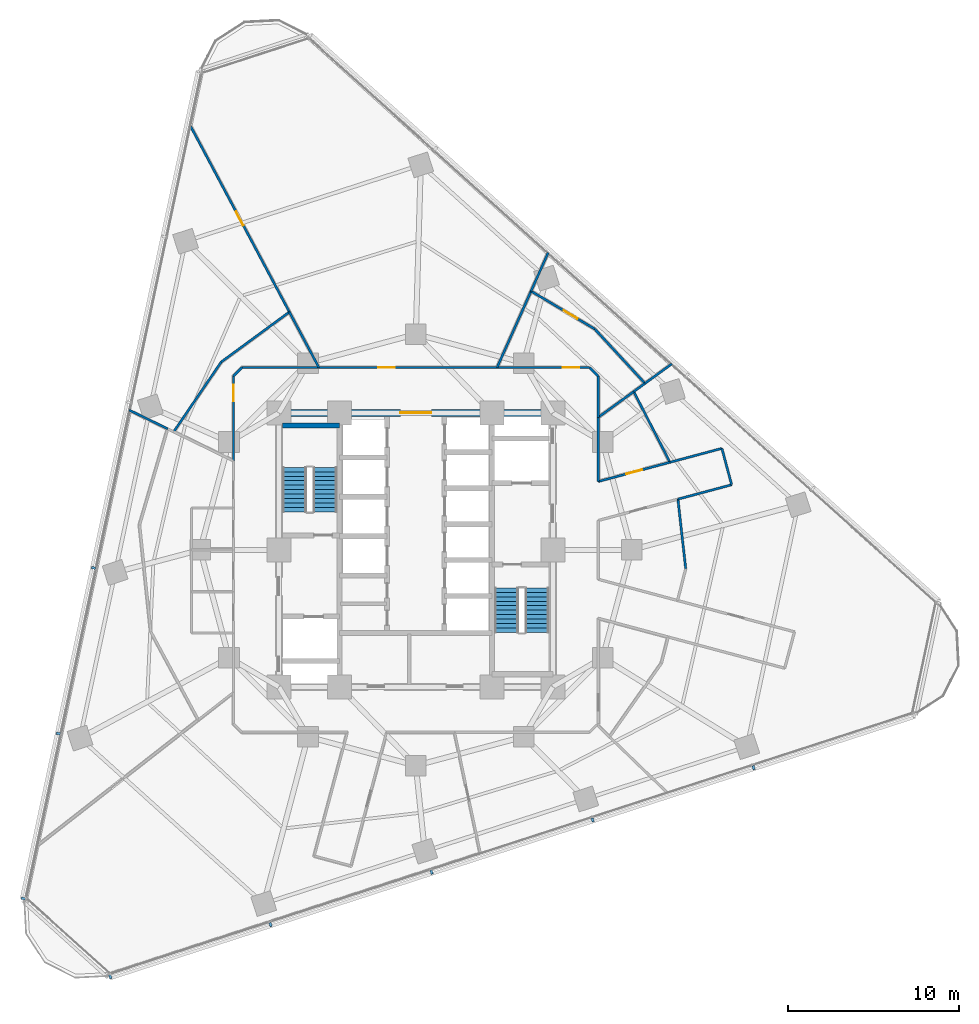
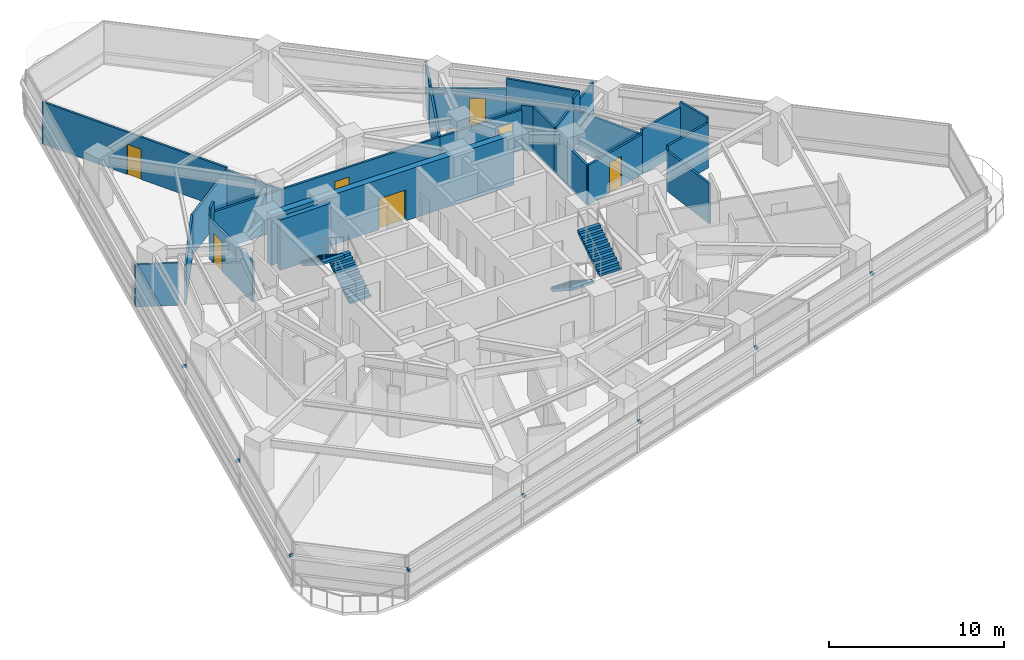
# One storey, part 9 of 13: 28 walls, 8 discrete accessories, 7 doors, 4 stair flights, 7 openings, 2 elements without a shape of their own.
"""IFC4 building model written with IfcOpenShell, lengths in metres."""

from ifc_helpers import new_model, si_unit, direction, frame, frame_2d, origin, origin_2d, place, context, subcontext, project, spatial, polyline, rectangle, outline, extrude, material, layer, layer_set, type_object, element, fill, aggregate, save


model = new_model("IFC4")

# Units and contexts
model_context = context("Model", 3, precision=1e-05, world=origin(), true_north=direction((0.0, 1.0)))
body_context = subcontext(model_context, "Body", "Model", "MODEL_VIEW")
ifc_project = project(units=[si_unit("LENGTHUNIT", "METRE"), si_unit("AREAUNIT", "SQUARE_METRE"), si_unit("VOLUMEUNIT", "CUBIC_METRE"), si_unit("PLANEANGLEUNIT", "RADIAN"), si_unit("MASSUNIT", "GRAM", prefix="KILO")], contexts=[model_context])

# Site, building, storey
site_placement = place(None, origin())
site = spatial("IfcSite", under=ifc_project, at=site_placement, CompositionType="ELEMENT")
building_placement = place(site_placement, origin())
building = spatial("IfcBuilding", under=site, at=building_placement, Name="Terralouvre Media Tower", CompositionType="ELEMENT")
storey_placement = place(building_placement, frame((0.0, 0.0, 101.39990234375)))
storey = spatial("IfcBuildingStorey", under=building, at=storey_placement, Name="L25", CompositionType="ELEMENT", Elevation=101.39990234375)

# Wall
ifc_material_1 = material(Name="Concrete C50/60", Category="concrete")
ifc_layer_1 = layer(ifc_material_1, 0.300048828125, Name="Core Internal Shaft Wall CW-300")
ifc_layer_set_1 = layer_set([ifc_layer_1], Name="Concrete C50/60")
wall_type_1 = type_object("IfcWallType", Name="Core Internal Shaft Wall CW-300", PredefinedType="SHEAR", material=ifc_layer_set_1)
wall_1_placement = place(storey_placement, frame((-7.7900390625, 7.260009765625, 0.0), z_axis=(0.0, 0.0, 1.0), x_axis=(1.0, 0.0, 0.0)))
element("IfcWall", 1, at=wall_1_placement, inside=storey, type_object=wall_type_1, Name="L25 Core Shaft Wall ST1F", PredefinedType="SHEAR", context=body_context, shape_type="SweptSolid", body=[
    extrude(rectangle(XDim=3.340087890625, YDim=0.300048828125, at=frame_2d((1.669921875, 0.0))), origin(), (0.0, 0.0, 1.0), 3.5),
])

# Wall, opening, door
ifc_material_2 = material(Name="Concrete C60/75", Category="concrete")
ifc_layer_2 = layer(ifc_material_2, 0.419921875, Name="Core Reinforced Concrete Shear Wall CW-420")
ifc_layer_set_2 = layer_set([ifc_layer_2], Name="Concrete C60/75")
wall_type_2 = type_object("IfcWallType", Name="Core Reinforced Concrete Shear Wall CW-420", PredefinedType="SHEAR", material=ifc_layer_set_2)
wall_2_placement = place(storey_placement, frame((-8.0, 8.0, 0.0), z_axis=(0.0, 0.0, 1.0), x_axis=(1.0, 0.0, 0.0)))
wall_2 = element("IfcWall", 2, at=wall_2_placement, inside=storey, type_object=wall_type_2, Name="L25 N Core Shear Wall", PredefinedType="SHEAR", context=body_context, shape_type="SweptSolid", body=[
    extrude(rectangle(XDim=16.0, YDim=0.419921875, at=frame_2d((8.0, 0.0))), origin(), (0.0, 0.0, 1.0), 3.5),
])
opening_1_placement = place(wall_2_placement, frame((7.10009765625, 0.0, 0.0)))
opening_1 = element("IfcOpeningElement", 3, at=opening_1_placement, cuts=wall_2, Name="Opening FD-03", PredefinedType="OPENING", context=body_context, shape_type="SweptSolid", body=[
    extrude(rectangle(XDim=1.800048828125, YDim=2.14990234375, at=frame_2d((0.89990234375, 1.074951171875))), frame((0.0, 0.219970703125, 0.0), z_axis=(0.0, -1.0, 0.0), x_axis=(1.0, 0.0, 0.0)), (0.0, 0.0, 1.0), 0.43994140625),
])
ifc_material_3 = material(Name="Galvanised steel fire-resisting leaf", Category="steel")
door_type_1 = type_object("IfcDoorType", Name="Corridor Smoke-Control Double Door FD-03", OperationType="DOUBLE_DOOR_SINGLE_SWING", PredefinedType="DOOR", material=ifc_material_3)
door_1_placement = place(opening_1_placement, origin())
door_1 = element("IfcDoor", 4, at=door_1_placement, inside=storey, type_object=door_type_1, Name="L25 Central Lift Lobby Portal Door", OperationType="DOUBLE_DOOR_SINGLE_SWING", OverallHeight=2.14990234375, OverallWidth=1.800048828125, PredefinedType="DOOR", context=body_context, shape_type="SweptSolid", body=[
    extrude(rectangle(XDim=1.800048828125, YDim=2.14990234375, at=frame_2d((0.89990234375, 1.074951171875))), frame((0.0, 0.02490234375, 0.0), z_axis=(0.0, -1.0, 0.0), x_axis=(1.0, 0.0, 0.0)), (0.0, 0.0, 1.0), 0.050048828125),
])
fill(opening_1, door_1)

# Walls
ifc_material_4 = material(Name="Fire-rated gypsum board drywall partition")
ifc_layer_3 = layer(ifc_material_4, 0.135009765625, Name="Newsroom Acoustic Partition PT-135")
ifc_layer_set_3 = layer_set([ifc_layer_3], Name="Fire-rated gypsum board drywall partition")
wall_type_3 = type_object("IfcWallType", Name="Newsroom Acoustic Partition PT-135", PredefinedType="PARTITIONING", material=ifc_layer_set_3)
wall_3_placement = place(storey_placement, frame((15.306884765625, 2.962890625, 0.0), z_axis=(0.0, 0.0, 1.0), x_axis=(0.965966165677, 0.258668449501, 0.0)))
element("IfcWall", 5, at=wall_3_placement, inside=storey, type_object=wall_type_3, Name="L25 Interior Partition 011", PredefinedType="PARTITIONING", context=body_context, shape_type="SweptSolid", body=[
    extrude(rectangle(XDim=3.247802734375, YDim=0.135009765625, at=frame_2d((1.6240234375, 0.0))), origin(), (0.0, 0.0, 1.0), 3.125),
])
wall_4_placement = place(storey_placement, frame((18.444091796875, 3.802978515625, 0.0), z_axis=(0.0, 0.0, 1.0), x_axis=(-0.258691706618, 0.965959937537, 0.0)))
element("IfcWall", 6, at=wall_4_placement, inside=storey, type_object=wall_type_3, Name="L25 Interior Partition 012", PredefinedType="PARTITIONING", context=body_context, shape_type="SweptSolid", body=[
    extrude(rectangle(XDim=2.199951171875, YDim=0.135009765625, at=frame_2d((1.10009765625, 0.0))), origin(), (0.0, 0.0, 1.0), 3.5),
])
wall_5_placement = place(storey_placement, frame((17.875, 5.927978515625, 0.0), z_axis=(0.0, 0.0, 1.0), x_axis=(-0.96597893007, -0.258620777704, 0.0)))
element("IfcWall", 7, at=wall_5_placement, inside=storey, type_object=wall_type_3, Name="L25 Interior Partition 013", PredefinedType="PARTITIONING", context=body_context, shape_type="SweptSolid", body=[
    extrude(rectangle(XDim=3.139892578125, YDim=0.135009765625, at=frame_2d((1.56982421875, 0.0))), origin(), (0.0, 0.0, 1.0), 3.125),
])

# Wall, opening, door
wall_6_placement = place(storey_placement, frame((14.842041015625, 5.115966796875, 0.0), z_axis=(0.0, 0.0, 1.0), x_axis=(-0.965883000332, -0.258978820891, 0.0)))
wall_6 = element("IfcWall", 8, at=wall_6_placement, inside=storey, type_object=wall_type_3, Name="L25 Interior Partition 019", PredefinedType="PARTITIONING", context=body_context, shape_type="SweptSolid", body=[
    extrude(rectangle(XDim=4.34033203125, YDim=0.135009765625, at=frame_2d((2.170166015625, 0.0))), origin(), (0.0, 0.0, 1.0), 2.78515625),
])
opening_2_placement = place(wall_6_placement, frame((1.695068359375, 0.0, 0.0)))
opening_2 = element("IfcOpeningElement", 9, at=opening_2_placement, cuts=wall_6, Name="Opening ID-02-95X210", PredefinedType="OPENING", context=body_context, shape_type="SweptSolid", body=[
    extrude(rectangle(XDim=0.949951171875, YDim=2.10009765625, at=frame_2d((0.47509765625, 1.050048828125))), frame((0.0, 0.077392578125, 0.0), z_axis=(0.0, -1.0, 0.0), x_axis=(1.0, 0.0, 0.0)), (0.0, 0.0, 1.0), 0.155029296875),
])
ifc_material_5 = material(Name="Engineered hardwood acoustic timber leaf", Category="wood")
door_type_2 = type_object("IfcDoorType", Name="Office and Meeting Room Door ID-02 (950x2100)", OperationType="NOTDEFINED", PredefinedType="DOOR", material=ifc_material_5)
door_2_placement = place(opening_2_placement, origin())
door_2 = element("IfcDoor", 10, at=door_2_placement, inside=storey, type_object=door_type_2, Name="L25 Wellness Club Reception 5 Door", OperationType="SINGLE_SWING_RIGHT", OverallHeight=2.10009765625, OverallWidth=0.949951171875, PredefinedType="DOOR", context=body_context, shape_type="SweptSolid", body=[
    extrude(rectangle(XDim=0.949951171875, YDim=2.10009765625, at=frame_2d((0.47509765625, 1.050048828125))), frame((0.0, 0.02490234375, 0.0), z_axis=(0.0, -1.0, 0.0), x_axis=(1.0, 0.0, 0.0)), (0.0, 0.0, 1.0), 0.050048828125),
])
fill(opening_2, door_2)

# Walls
wall_7_placement = place(storey_placement, frame((10.64990234375, 3.991943359375, 0.0), z_axis=(0.0, 0.0, 1.0), x_axis=(0.0, 1.0, 0.0)))
element("IfcWall", 11, at=wall_7_placement, inside=storey, type_object=wall_type_3, Name="L25 Interior Partition 020", PredefinedType="PARTITIONING", context=body_context, shape_type="SweptSolid", body=[
    extrude(rectangle(XDim=3.74609375, YDim=0.135009765625, at=frame_2d((1.873046875, 0.0))), origin(), (0.0, 0.0, 1.0), 2.78515625),
])
wall_8_placement = place(storey_placement, frame((10.64990234375, 7.738037109375, 0.0), z_axis=(0.0, 0.0, 1.0), x_axis=(0.0, 1.0, 0.0)))
element("IfcWall", 12, at=wall_8_placement, inside=storey, type_object=wall_type_3, Name="L25 Interior Partition 027", PredefinedType="PARTITIONING", context=body_context, shape_type="SweptSolid", body=[
    extrude(rectangle(XDim=2.411865234375, YDim=0.135009765625, at=frame_2d((1.2060546875, 0.0))), origin(), (0.0, 0.0, 1.0), 3.125),
])
wall_9_placement = place(storey_placement, frame((10.64990234375, 10.14990234375, 0.0), z_axis=(0.0, 0.0, 1.0), x_axis=(-0.707106781187, 0.707106781187, 0.0)))
element("IfcWall", 13, at=wall_9_placement, inside=storey, type_object=wall_type_3, Name="L25 Interior Partition 028", PredefinedType="PARTITIONING", context=body_context, shape_type="SweptSolid", body=[
    extrude(rectangle(XDim=0.70703125, YDim=0.135009765625, at=frame_2d((0.353515625, 0.0))), origin(), (0.0, 0.0, 1.0), 3.125),
])

# Wall, opening, door
wall_10_placement = place(storey_placement, frame((10.14990234375, 10.64990234375, 0.0), z_axis=(0.0, 0.0, 1.0), x_axis=(-1.0, 0.0, 0.0)))
wall_10 = element("IfcWall", 14, at=wall_10_placement, inside=storey, type_object=wall_type_3, Name="L25 Interior Partition 029", PredefinedType="PARTITIONING", context=body_context, shape_type="SweptSolid", body=[
    extrude(rectangle(XDim=5.407958984375, YDim=0.135009765625, at=frame_2d((2.7041015625, 0.0))), origin(), (0.0, 0.0, 1.0), 2.78515625),
])
opening_3_placement = place(wall_10_placement, frame((0.606689453125, 0.0, 0.0)))
opening_3 = element("IfcOpeningElement", 15, at=opening_3_placement, cuts=wall_10, Name="Opening ID-02-95X210", PredefinedType="OPENING", context=body_context, shape_type="SweptSolid", body=[
    extrude(rectangle(XDim=0.949951171875, YDim=2.10009765625, at=frame_2d((0.47509765625, 1.050048828125))), frame((0.0, 0.077392578125, 0.0), z_axis=(0.0, -1.0, 0.0), x_axis=(1.0, 0.0, 0.0)), (0.0, 0.0, 1.0), 0.155029296875),
])
door_3_placement = place(opening_3_placement, origin())
door_3 = element("IfcDoor", 16, at=door_3_placement, inside=storey, type_object=door_type_2, Name="L25 Staff Wellness Fitness Gym 10 Door", OperationType="SINGLE_SWING_RIGHT", OverallHeight=2.10009765625, OverallWidth=0.949951171875, PredefinedType="DOOR", context=body_context, shape_type="SweptSolid", body=[
    extrude(rectangle(XDim=0.949951171875, YDim=2.10009765625, at=frame_2d((0.47509765625, 1.050048828125))), frame((0.0, 0.02490234375, 0.0), z_axis=(0.0, -1.0, 0.0), x_axis=(1.0, 0.0, 0.0)), (0.0, 0.0, 1.0), 0.050048828125),
])
fill(opening_3, door_3)

wall_11_placement = place(storey_placement, frame((4.741943359375, 10.64990234375, 0.0), z_axis=(0.0, 0.0, 1.0), x_axis=(-1.0, 0.0, 0.0)))
wall_11 = element("IfcWall", 17, at=wall_11_placement, inside=storey, type_object=wall_type_3, Name="L25 Interior Partition 030", PredefinedType="PARTITIONING", context=body_context, shape_type="SweptSolid", body=[
    extrude(rectangle(XDim=10.405029296875, YDim=0.135009765625, at=frame_2d((5.20263671875, 0.0))), origin(), (0.0, 0.0, 1.0), 2.78515625),
])
opening_4_placement = place(wall_11_placement, frame((5.97607421875, 0.0, 0.0)))
opening_4 = element("IfcOpeningElement", 18, at=opening_4_placement, cuts=wall_11, Name="Opening ID-02-95X210", PredefinedType="OPENING", context=body_context, shape_type="SweptSolid", body=[
    extrude(rectangle(XDim=0.949951171875, YDim=2.10009765625, at=frame_2d((0.47509765625, 1.050048828125))), frame((0.0, 0.077392578125, 0.0), z_axis=(0.0, -1.0, 0.0), x_axis=(1.0, 0.0, 0.0)), (0.0, 0.0, 1.0), 0.155029296875),
])
door_4_placement = place(opening_4_placement, origin())
door_4 = element("IfcDoor", 19, at=door_4_placement, inside=storey, type_object=door_type_2, Name="L25 Mindfulness Recreation Club 11 Door", OperationType="SINGLE_SWING_LEFT", OverallHeight=2.10009765625, OverallWidth=0.949951171875, PredefinedType="DOOR", context=body_context, shape_type="SweptSolid", body=[
    extrude(rectangle(XDim=0.949951171875, YDim=2.10009765625, at=frame_2d((0.47509765625, 1.050048828125))), frame((0.0, 0.02490234375, 0.0), z_axis=(0.0, -1.0, 0.0), x_axis=(1.0, 0.0, 0.0)), (0.0, 0.0, 1.0), 0.050048828125),
])
fill(opening_4, door_4)

# Walls
wall_12_placement = place(storey_placement, frame((-5.6630859375, 10.64990234375, 0.0), z_axis=(0.0, 0.0, 1.0), x_axis=(-1.0, 0.0, 0.0)))
element("IfcWall", 20, at=wall_12_placement, inside=storey, type_object=wall_type_3, Name="L25 Interior Partition 031", PredefinedType="PARTITIONING", context=body_context, shape_type="SweptSolid", body=[
    extrude(rectangle(XDim=4.48681640625, YDim=0.135009765625, at=frame_2d((2.243408203125, 0.0))), origin(), (0.0, 0.0, 1.0), 2.78515625),
])
wall_13_placement = place(storey_placement, frame((-10.14990234375, 10.64990234375, 0.0), z_axis=(0.0, 0.0, 1.0), x_axis=(-0.707106781187, -0.707106781187, 0.0)))
element("IfcWall", 21, at=wall_13_placement, inside=storey, type_object=wall_type_3, Name="L25 Interior Partition 032", PredefinedType="PARTITIONING", context=body_context, shape_type="SweptSolid", body=[
    extrude(rectangle(XDim=0.70703125, YDim=0.135009765625, at=frame_2d((0.353515625, 0.0))), origin(), (0.0, 0.0, 1.0), 3.5),
])

# Wall, opening, door
wall_14_placement = place(storey_placement, frame((-10.64990234375, 10.14990234375, 0.0), z_axis=(0.0, 0.0, 1.0), x_axis=(0.0, -1.0, 0.0)))
wall_14 = element("IfcWall", 22, at=wall_14_placement, inside=storey, type_object=wall_type_3, Name="L25 Interior Partition 033", PredefinedType="PARTITIONING", context=body_context, shape_type="SweptSolid", body=[
    extrude(rectangle(XDim=4.955810546875, YDim=0.135009765625, at=frame_2d((2.47802734375, 0.0))), origin(), (0.0, 0.0, 1.0), 2.78515625),
])
opening_5_placement = place(wall_14_placement, frame((0.51611328125, 0.0, 0.0)))
opening_5 = element("IfcOpeningElement", 23, at=opening_5_placement, cuts=wall_14, Name="Opening ID-02-95X210", PredefinedType="OPENING", context=body_context, shape_type="SweptSolid", body=[
    extrude(rectangle(XDim=0.949951171875, YDim=2.10009765625, at=frame_2d((0.47509765625, 1.050048828125))), frame((0.0, 0.077392578125, 0.0), z_axis=(0.0, -1.0, 0.0), x_axis=(1.0, 0.0, 0.0)), (0.0, 0.0, 1.0), 0.155029296875),
])
door_5_placement = place(opening_5_placement, origin())
door_5 = element("IfcDoor", 24, at=door_5_placement, inside=storey, type_object=door_type_2, Name="L25 Terrace View Hospitality Lounge 13 Door", OperationType="SINGLE_SWING_RIGHT", OverallHeight=2.10009765625, OverallWidth=0.949951171875, PredefinedType="DOOR", context=body_context, shape_type="SweptSolid", body=[
    extrude(rectangle(XDim=0.949951171875, YDim=2.10009765625, at=frame_2d((0.47509765625, 1.050048828125))), frame((0.0, 0.02490234375, 0.0), z_axis=(0.0, -1.0, 0.0), x_axis=(1.0, 0.0, 0.0)), (0.0, 0.0, 1.0), 0.050048828125),
])
fill(opening_5, door_5)

# Walls
wall_15_placement = place(storey_placement, frame((15.306884765625, 2.962890625, 0.0), z_axis=(0.0, 0.0, 1.0), x_axis=(0.111256918124, -0.99379167745, 0.0)))
element("IfcWall", 25, at=wall_15_placement, inside=storey, type_object=wall_type_3, Name="L25 Interior Partition 040", PredefinedType="PARTITIONING", context=body_context, shape_type="SweptSolid", body=[
    extrude(rectangle(XDim=4.09033203125, YDim=0.135009765625, at=frame_2d((2.045166015625, 0.0))), origin(), (0.0, 0.0, 1.0), 2.78515625),
])
wall_16_placement = place(storey_placement, frame((12.72607421875, 9.24609375, 0.0), z_axis=(0.0, 0.0, 1.0), x_axis=(0.455967351564, -0.889996502413, 0.0)))
element("IfcWall", 26, at=wall_16_placement, inside=storey, type_object=wall_type_3, Name="L25 Interior Partition 042", PredefinedType="PARTITIONING", context=body_context, shape_type="SweptSolid", body=[
    extrude(rectangle(XDim=4.640625, YDim=0.135009765625, at=frame_2d((2.3203125, 0.0))), origin(), (0.0, 0.0, 1.0), 2.78515625),
])
wall_17_placement = place(storey_placement, frame((14.947021484375, 10.860107421875, 0.0), z_axis=(0.0, 0.0, 1.0), x_axis=(-0.809090948161, -0.58768345017, 0.0)))
element("IfcWall", 27, at=wall_17_placement, inside=storey, type_object=wall_type_3, Name="L25 Interior Partition 044", PredefinedType="PARTITIONING", context=body_context, shape_type="SweptSolid", body=[
    extrude(rectangle(XDim=1.93310546875, YDim=0.135009765625, at=frame_2d((0.966552734375, 0.0))), origin(), (0.0, 0.0, 1.0), 2.93505859375),
])
wall_18_placement = place(storey_placement, frame((13.383056640625, 9.72412109375, 0.0), z_axis=(0.0, 0.0, 1.0), x_axis=(-0.808606124949, -0.588350350297, 0.0)))
element("IfcWall", 28, at=wall_18_placement, inside=storey, type_object=wall_type_3, Name="L25 Interior Partition 045", PredefinedType="PARTITIONING", context=body_context, shape_type="SweptSolid", body=[
    extrude(rectangle(XDim=0.8125, YDim=0.135009765625, at=frame_2d((0.40625, 0.0))), origin(), (0.0, 0.0, 1.0), 3.5),
])
wall_19_placement = place(storey_placement, frame((12.72607421875, 9.24609375, 0.0), z_axis=(0.0, 0.0, 1.0), x_axis=(-0.80908565166, -0.587690742039, 0.0)))
element("IfcWall", 29, at=wall_19_placement, inside=storey, type_object=wall_type_3, Name="L25 Interior Partition 047", PredefinedType="PARTITIONING", context=body_context, shape_type="SweptSolid", body=[
    extrude(rectangle(XDim=2.566162109375, YDim=0.135009765625, at=frame_2d((1.283203125, 0.0))), origin(), (0.0, 0.0, 1.0), 3.125),
])
wall_20_placement = place(storey_placement, frame((-14.490966796875, 7.068115234375, 0.0), z_axis=(0.0, 0.0, 1.0), x_axis=(-0.898774071038, 0.438412099777, 0.0)))
element("IfcWall", 30, at=wall_20_placement, inside=storey, type_object=wall_type_3, Name="L25 Interior Partition 060", PredefinedType="PARTITIONING", context=body_context, shape_type="SweptSolid", body=[
    extrude(rectangle(XDim=2.502685546875, YDim=0.135009765625, at=frame_2d((1.25146484375, 0.0))), origin(), (0.0, 0.0, 1.0), 2.93505859375),
])

# Wall, opening, door
wall_21_placement = place(storey_placement, frame((6.72900390625, 15.113037109375, 0.0), z_axis=(0.0, 0.0, 1.0), x_axis=(0.859389125663, -0.511322139841, 0.0)))
wall_21 = element("IfcWall", 31, at=wall_21_placement, inside=storey, type_object=wall_type_3, Name="L25 Interior Partition 061", PredefinedType="PARTITIONING", context=body_context, shape_type="SweptSolid", body=[
    extrude(rectangle(XDim=4.326416015625, YDim=0.135009765625, at=frame_2d((2.1630859375, 0.0))), origin(), (0.0, 0.0, 1.0), 2.78515625),
])
opening_6_placement = place(wall_21_placement, frame((2.222412109375, 0.0, 0.0)))
opening_6 = element("IfcOpeningElement", 32, at=opening_6_placement, cuts=wall_21, Name="Opening ID-03-92X210", PredefinedType="OPENING", context=body_context, shape_type="SweptSolid", body=[
    extrude(rectangle(XDim=0.919921875, YDim=2.10009765625, at=frame_2d((0.4599609375, 1.050048828125))), frame((0.0, 0.077392578125, 0.0), z_axis=(0.0, -1.0, 0.0), x_axis=(1.0, 0.0, 0.0)), (0.0, 0.0, 1.0), 0.155029296875),
])
ifc_material_6 = material(Name="Engineered hardwood acoustic timber leaf", Category="wood")
door_type_3 = type_object("IfcDoorType", Name="Accessible Restroom and Suite Door ID-03 (920x2100)", OperationType="NOTDEFINED", PredefinedType="DOOR", material=ifc_material_6)
door_6_placement = place(opening_6_placement, origin())
door_6 = element("IfcDoor", 33, at=door_6_placement, inside=storey, type_object=door_type_3, Name="L25 Medical Journalism Research Office 9 Door", OperationType="SINGLE_SWING_RIGHT", OverallHeight=2.10009765625, OverallWidth=0.919921875, PredefinedType="DOOR", context=body_context, shape_type="SweptSolid", body=[
    extrude(rectangle(XDim=0.919921875, YDim=2.10009765625, at=frame_2d((0.4599609375, 1.050048828125))), frame((0.0, 0.02490234375, 0.0), z_axis=(0.0, -1.0, 0.0), x_axis=(1.0, 0.0, 0.0)), (0.0, 0.0, 1.0), 0.050048828125),
])
fill(opening_6, door_6)

# Walls
wall_22_placement = place(storey_placement, frame((10.447021484375, 12.90087890625, 0.0), z_axis=(0.0, 0.0, 1.0), x_axis=(0.678734730072, -0.734383527997, 0.0)))
element("IfcWall", 34, at=wall_22_placement, inside=storey, type_object=wall_type_3, Name="L25 Interior Partition 062", PredefinedType="PARTITIONING", context=body_context, shape_type="SweptSolid", body=[
    extrude(rectangle(XDim=4.32568359375, YDim=0.135009765625, at=frame_2d((2.162841796875, 0.0))), origin(), (0.0, 0.0, 1.0), 3.5),
])
wall_23_placement = place(storey_placement, frame((7.72900390625, 17.359130859375, 0.0), z_axis=(0.0, 0.0, 1.0), x_axis=(-0.406728032322, -0.913549291349, 0.0)))
element("IfcWall", 35, at=wall_23_placement, inside=storey, type_object=wall_type_3, Name="L25 Interior Partition 063", PredefinedType="PARTITIONING", context=body_context, shape_type="SweptSolid", body=[
    extrude(rectangle(XDim=2.458740234375, YDim=0.135009765625, at=frame_2d((1.2294921875, 0.0))), origin(), (0.0, 0.0, 1.0), 2.93505859375),
])
wall_24_placement = place(storey_placement, frame((6.72900390625, 15.113037109375, 0.0), z_axis=(0.0, 0.0, 1.0), x_axis=(-0.406727234472, -0.913549646565, 0.0)))
element("IfcWall", 36, at=wall_24_placement, inside=storey, type_object=wall_type_3, Name="L25 Interior Partition 064", PredefinedType="PARTITIONING", context=body_context, shape_type="SweptSolid", body=[
    extrude(rectangle(XDim=4.885498046875, YDim=0.135009765625, at=frame_2d((2.44287109375, 0.0))), origin(), (0.0, 0.0, 1.0), 2.78515625),
])

# Wall, opening, door
wall_25_placement = place(storey_placement, frame((-13.19921875, 24.82421875, 0.0), z_axis=(0.0, 0.0, 1.0), x_axis=(0.46947528178, -0.882945615425, 0.0)))
wall_25 = element("IfcWall", 37, at=wall_25_placement, inside=storey, type_object=wall_type_3, Name="L25 Interior Partition 065", PredefinedType="PARTITIONING", context=body_context, shape_type="SweptSolid", body=[
    extrude(rectangle(XDim=12.38037109375, YDim=0.135009765625, at=frame_2d((6.190185546875, 0.0))), origin(), (0.0, 0.0, 1.0), 2.93505859375),
])
opening_7_placement = place(wall_25_placement, frame((5.72998046875, 0.0, 0.0)))
opening_7 = element("IfcOpeningElement", 38, at=opening_7_placement, cuts=wall_25, Name="Opening ID-03-92X210", PredefinedType="OPENING", context=body_context, shape_type="SweptSolid", body=[
    extrude(rectangle(XDim=0.919921875, YDim=2.10009765625, at=frame_2d((0.4599609375, 1.050048828125))), frame((0.0, 0.077392578125, 0.0), z_axis=(0.0, -1.0, 0.0), x_axis=(1.0, 0.0, 0.0)), (0.0, 0.0, 1.0), 0.155029296875),
])
door_7_placement = place(opening_7_placement, origin())
door_7 = element("IfcDoor", 39, at=door_7_placement, inside=storey, type_object=door_type_3, Name="L25 Broadcast Club Dining Room 12 Door", OperationType="SINGLE_SWING_LEFT", OverallHeight=2.10009765625, OverallWidth=0.919921875, PredefinedType="DOOR", context=body_context, shape_type="SweptSolid", body=[
    extrude(rectangle(XDim=0.919921875, YDim=2.10009765625, at=frame_2d((0.4599609375, 1.050048828125))), frame((0.0, 0.02490234375, 0.0), z_axis=(0.0, -1.0, 0.0), x_axis=(1.0, 0.0, 0.0)), (0.0, 0.0, 1.0), 0.050048828125),
])
fill(opening_7, door_7)

# Walls
wall_26_placement = place(storey_placement, frame((-7.386962890625, 13.89306640625, 0.0), z_axis=(0.0, 0.0, 1.0), x_axis=(0.469356096826, -0.883008977515, 0.0)))
element("IfcWall", 40, at=wall_26_placement, inside=storey, type_object=wall_type_3, Name="L25 Interior Partition 066", PredefinedType="PARTITIONING", context=body_context, shape_type="SweptSolid", body=[
    extrude(rectangle(XDim=3.6728515625, YDim=0.135009765625, at=frame_2d((1.83642578125, 0.0))), origin(), (0.0, 0.0, 1.0), 2.78515625),
])
wall_27_placement = place(storey_placement, frame((-14.14208984375, 6.89794921875, 0.0), z_axis=(0.0, 0.0, 1.0), x_axis=(0.562725506953, 0.826643819202, 0.0)))
element("IfcWall", 41, at=wall_27_placement, inside=storey, type_object=wall_type_3, Name="L25 Interior Partition 067", PredefinedType="PARTITIONING", context=body_context, shape_type="SweptSolid", body=[
    extrude(rectangle(XDim=4.933349609375, YDim=0.135009765625, at=frame_2d((2.466796875, 0.0))), origin(), (0.0, 0.0, 1.0), 2.78515625),
])
wall_28_placement = place(storey_placement, frame((-11.365966796875, 10.97607421875, 0.0), z_axis=(0.0, 0.0, 1.0), x_axis=(0.806496231999, 0.591239230576, 0.0)))
element("IfcWall", 42, at=wall_28_placement, inside=storey, type_object=wall_type_3, Name="L25 Interior Partition 068", PredefinedType="PARTITIONING", context=body_context, shape_type="SweptSolid", body=[
    extrude(rectangle(XDim=4.93359375, YDim=0.135009765625, at=frame_2d((2.466796875, 0.0))), origin(), (0.0, 0.0, 1.0), 2.78515625),
])

# Stair, stair flights
ifc_material_7 = material(Name="Concrete C45/55", Category="concrete")
stair_type_1 = type_object("IfcStairType", Name="Dogleg Stair Assembly ST-01", PredefinedType="HALF_TURN_STAIR", material=ifc_material_7)
stair_1_placement = place(storey_placement, origin())
stair_1 = element("IfcStair", 43, at=stair_1_placement, inside=storey, type_object=stair_type_1, Name="L25 Core Pressurised Exit Stair ST-01", PredefinedType="HALF_TURN_STAIR")
ifc_material_8 = material(Name="Concrete C45/55", Category="concrete")
stair_flight_type = type_object("IfcStairFlightType", Name="Reinforced Concrete Stair Flight SF-RC1", PredefinedType="STRAIGHT", material=ifc_material_8)
stair_flight_1_placement = place(storey_placement, frame((-5.300048828125, 2.219970703125, 0.0), z_axis=(0.0, 0.0, 1.0), x_axis=(0.0, 1.0, 0.0)))
stair_flight_1 = element("IfcStairFlight", 44, at=stair_flight_1_placement, type_object=stair_flight_type, Name="ST-01 flight 1", NumberOfRisers=11, NumberOfTreads=10, PredefinedType="STRAIGHT", RiserHeight=0.168181818, TreadLength=0.26, context=body_context, shape_type="SweptSolid", body=[
    extrude(outline(polyline([(0.0, 0.0), (0.0, 0.168212890625), (0.260009765625, 0.168212890625), (0.260009765625, 0.33642578125), (0.52001953125, 0.33642578125), (0.52001953125, 0.504638671875), (0.780029296875, 0.504638671875), (0.780029296875, 0.672607421875), (1.0400390625, 0.672607421875), (1.0400390625, 0.8408203125), (1.300048828125, 0.8408203125), (1.300048828125, 1.009033203125), (1.56005859375, 1.009033203125), (1.56005859375, 1.17724609375), (1.820068359375, 1.17724609375), (1.820068359375, 1.345458984375), (2.080078125, 1.345458984375), (2.080078125, 1.513671875), (2.340087890625, 1.513671875), (2.340087890625, 1.681884765625), (2.60009765625, 1.681884765625), (2.60009765625, 1.85009765625), (2.60009765625, 1.503173828125), (0.27587890625, 0.0), (0.0, 0.0)])), frame((0.0, 0.699951171875, 0.0), z_axis=(0.0, -1.0, 0.0), x_axis=(1.0, 0.0, 0.0)), (0.0, 0.0, 1.0), 1.39990234375),
])
stair_flight_2_placement = place(storey_placement, frame((-7.080078125, 4.820068359375, 1.85009765625), z_axis=(0.0, 0.0, 1.0), x_axis=(0.0, -1.0, 0.0)))
stair_flight_2 = element("IfcStairFlight", 45, at=stair_flight_2_placement, type_object=stair_flight_type, Name="ST-01 flight 2", NumberOfRisers=11, NumberOfTreads=10, PredefinedType="STRAIGHT", RiserHeight=0.168181818, TreadLength=0.26, context=body_context, shape_type="SweptSolid", body=[
    extrude(outline(polyline([(0.0, 0.0), (0.0, 0.168212890625), (0.260009765625, 0.168212890625), (0.260009765625, 0.33642578125), (0.52001953125, 0.33642578125), (0.52001953125, 0.504638671875), (0.780029296875, 0.504638671875), (0.780029296875, 0.672607421875), (1.0400390625, 0.672607421875), (1.0400390625, 0.8408203125), (1.300048828125, 0.8408203125), (1.300048828125, 1.009033203125), (1.56005859375, 1.009033203125), (1.56005859375, 1.17724609375), (1.820068359375, 1.17724609375), (1.820068359375, 1.345458984375), (2.080078125, 1.345458984375), (2.080078125, 1.513671875), (2.340087890625, 1.513671875), (2.340087890625, 1.681884765625), (2.60009765625, 1.681884765625), (2.60009765625, 1.85009765625), (2.60009765625, 1.503173828125), (0.27587890625, 0.0), (0.0, 0.0)])), frame((0.0, 0.699951171875, 0.0), z_axis=(0.0, -1.0, 0.0), x_axis=(1.0, 0.0, 0.0)), (0.0, 0.0, 1.0), 1.39990234375),
])
aggregate(stair_1, [stair_flight_1, stair_flight_2])

ifc_material_9 = material(Name="Concrete C45/55", Category="concrete")
stair_type_2 = type_object("IfcStairType", Name="Dogleg Stair Assembly ST-02", PredefinedType="HALF_TURN_STAIR", material=ifc_material_9)
stair_2_placement = place(storey_placement, origin())
stair_2 = element("IfcStair", 46, at=stair_2_placement, inside=storey, type_object=stair_type_2, Name="L25 Core Pressurised Exit Stair ST-02", PredefinedType="HALF_TURN_STAIR")
stair_flight_3_placement = place(storey_placement, frame((5.300048828125, -2.219970703125, 0.0), z_axis=(0.0, 0.0, 1.0), x_axis=(0.0, -1.0, 0.0)))
stair_flight_3 = element("IfcStairFlight", 47, at=stair_flight_3_placement, type_object=stair_flight_type, Name="ST-02 flight 1", NumberOfRisers=11, NumberOfTreads=10, PredefinedType="STRAIGHT", RiserHeight=0.168181818, TreadLength=0.26, context=body_context, shape_type="SweptSolid", body=[
    extrude(outline(polyline([(0.0, 0.0), (0.0, 0.168212890625), (0.260009765625, 0.168212890625), (0.260009765625, 0.33642578125), (0.52001953125, 0.33642578125), (0.52001953125, 0.504638671875), (0.780029296875, 0.504638671875), (0.780029296875, 0.672607421875), (1.0400390625, 0.672607421875), (1.0400390625, 0.8408203125), (1.300048828125, 0.8408203125), (1.300048828125, 1.009033203125), (1.56005859375, 1.009033203125), (1.56005859375, 1.17724609375), (1.820068359375, 1.17724609375), (1.820068359375, 1.345458984375), (2.080078125, 1.345458984375), (2.080078125, 1.513671875), (2.340087890625, 1.513671875), (2.340087890625, 1.681884765625), (2.60009765625, 1.681884765625), (2.60009765625, 1.85009765625), (2.60009765625, 1.503173828125), (0.27587890625, 0.0), (0.0, 0.0)])), frame((0.0, 0.699951171875, 0.0), z_axis=(0.0, -1.0, 0.0), x_axis=(1.0, 0.0, 0.0)), (0.0, 0.0, 1.0), 1.39990234375),
])
stair_flight_4_placement = place(storey_placement, frame((7.080078125, -4.820068359375, 1.85009765625), z_axis=(0.0, 0.0, 1.0), x_axis=(0.0, 1.0, 0.0)))
stair_flight_4 = element("IfcStairFlight", 48, at=stair_flight_4_placement, type_object=stair_flight_type, Name="ST-02 flight 2", NumberOfRisers=11, NumberOfTreads=10, PredefinedType="STRAIGHT", RiserHeight=0.168181818, TreadLength=0.26, context=body_context, shape_type="SweptSolid", body=[
    extrude(outline(polyline([(0.0, 0.0), (0.0, 0.168212890625), (0.260009765625, 0.168212890625), (0.260009765625, 0.33642578125), (0.52001953125, 0.33642578125), (0.52001953125, 0.504638671875), (0.780029296875, 0.504638671875), (0.780029296875, 0.672607421875), (1.0400390625, 0.672607421875), (1.0400390625, 0.8408203125), (1.300048828125, 0.8408203125), (1.300048828125, 1.009033203125), (1.56005859375, 1.009033203125), (1.56005859375, 1.17724609375), (1.820068359375, 1.17724609375), (1.820068359375, 1.345458984375), (2.080078125, 1.345458984375), (2.080078125, 1.513671875), (2.340087890625, 1.513671875), (2.340087890625, 1.681884765625), (2.60009765625, 1.681884765625), (2.60009765625, 1.85009765625), (2.60009765625, 1.503173828125), (0.27587890625, 0.0), (0.0, 0.0)])), frame((0.0, 0.699951171875, 0.0), z_axis=(0.0, -1.0, 0.0), x_axis=(1.0, 0.0, 0.0)), (0.0, 0.0, 1.0), 1.39990234375),
])
aggregate(stair_2, [stair_flight_3, stair_flight_4])

# Discrete accessories
ifc_material_10 = material(Name="Anodised extruded aluminium 6063-T6", Category="aluminium")
discrete_accessory_type = type_object("IfcDiscreteAccessoryType", Name="Mullion Stand-Off Baguette Fixing Bracket BK-01", PredefinedType="BRACKET", material=ifc_material_10)
for number, where, z_axis, x_axis, name in (
    (49, (-17.852783203125, -24.928955078125, 2.07421875), (0.0, 0.0, 1.0), (0.951056509451, 0.309017015439, 0.0), "CW-L25-F0 Baguette Outrigger Bracket 1.01"),
    (50, (-8.484375, -21.885009765625, 2.07421875), (0.0, 0.0, 1.0), (0.951056509451, 0.309017015439, 0.0), "CW-L25-F0 Baguette Outrigger Bracket 1.02"),
    (51, (0.919677734375, -18.82958984375, 2.07421875), (0.0, 0.0, 1.0), (0.951056509451, 0.309017015439, 0.0), "CW-L25-F0 Baguette Outrigger Bracket 1.03"),
    (52, (10.32373046875, -15.77392578125, 2.07421875), (0.0, 0.0, 1.0), (0.951056509451, 0.309017015439, 0.0), "CW-L25-F0 Baguette Outrigger Bracket 1.04"),
    (53, (19.727783203125, -12.71826171875, 2.07421875), (0.0, 0.0, 1.0), (0.951056509451, 0.309017015439, 0.0), "CW-L25-F0 Baguette Outrigger Bracket 1.05"),
    (54, (-18.822509765625, -1.0537109375, 2.07421875), (0.0, 0.0, 1.0), (-0.207911643887, -0.978147610709, 0.0), "CW-L25-F2 Baguette Outrigger Bracket 1.04"),
    (55, (-20.87841796875, -10.7255859375, 2.07421875), (0.0, 0.0, 1.0), (-0.207911643887, -0.978147610709, 0.0), "CW-L25-F2 Baguette Outrigger Bracket 1.05"),
    (56, (-22.92626953125, -20.36083984375, 2.07421875), (0.0, 0.0, 1.0), (-0.207911643887, -0.978147610709, 0.0), "CW-L25-F2 Baguette Outrigger Bracket 1.06"),
):
    element("IfcDiscreteAccessory", number, at=place(storey_placement, frame(where, z_axis=z_axis, x_axis=x_axis)), inside=storey, type_object=discrete_accessory_type, Name=name, PredefinedType="BRACKET", context=body_context, shape_type="SweptSolid", body=[
        extrude(rectangle(XDim=0.139892578125, YDim=0.239990234375, at=origin_2d()), origin(), (0.0, 0.0, 1.0), 0.179931640625),
    ])

save(model, "model.ifc")
